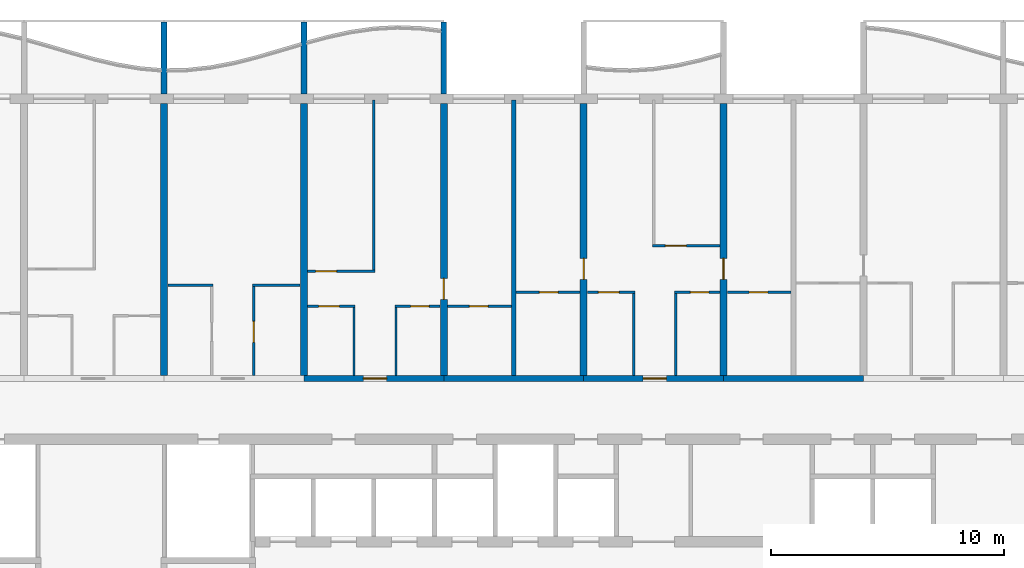
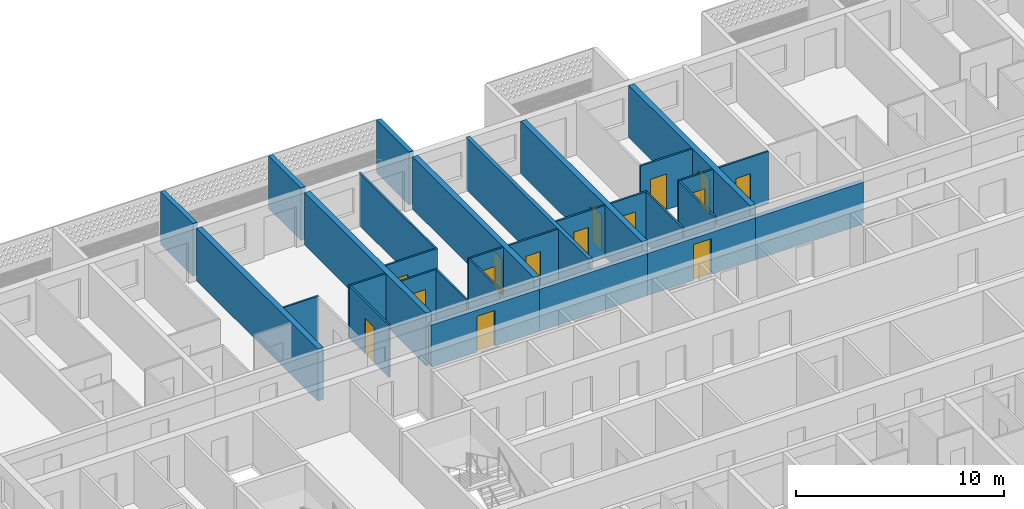
# One storey, part 9 of 32: 30 walls, 15 doors, 15 openings.
"""IFC4 building model written with IfcOpenShell, lengths in metres."""

from ifc_helpers import new_model, si_unit, direction, frame, frame_2d, origin, place, context, subcontext, project, spatial, polyline, rectangle, outline, extrude, source, transform, mapped, material, layer, layer_set, type_object, element, fill, save


model = new_model("IFC4")

# Units and contexts
model_context = context("Model", 3, precision=1e-05, world=origin(), true_north=direction((0.0, 1.0)))
body_context = subcontext(model_context, "Body", "Model", "MODEL_VIEW")
ifc_project = project(units=[si_unit("LENGTHUNIT", "METRE"), si_unit("AREAUNIT", "SQUARE_METRE"), si_unit("VOLUMEUNIT", "CUBIC_METRE"), si_unit("PLANEANGLEUNIT", "RADIAN"), si_unit("MASSUNIT", "GRAM", prefix="KILO")], contexts=[model_context])

# Site, building, storey
site_placement = place(None, origin())
site = spatial("IfcSite", under=ifc_project, at=site_placement, CompositionType="ELEMENT")
building_placement = place(site_placement, origin())
building = spatial("IfcBuilding", under=site, at=building_placement, Name="Poui Terraces", CompositionType="ELEMENT")
storey_placement = place(building_placement, frame((0.0, 0.0, 125.699951171875)))
storey = spatial("IfcBuildingStorey", under=building, at=storey_placement, Name="L34", CompositionType="ELEMENT", Elevation=125.699951171875)

# Wall, opening, door
ifc_material_1 = material(Name="Concrete 65 MPa", Category="concrete")
ifc_layer_1 = layer(ifc_material_1, 0.25)
ifc_layer_set_1 = layer_set([ifc_layer_1], Name="Concrete 65 MPa")
wall_type_1 = type_object("IfcWallType", Name="CORRIDOR WALL 250 65MPa", PredefinedType="SHEAR", material=ifc_layer_set_1)
wall_1_placement = place(storey_placement, frame((36.0, 30.39990234375, 0.0), z_axis=(0.0, 0.0, 1.0), x_axis=(1.0, 0.0, 0.0)))
wall_1 = element("IfcWall", 1, at=wall_1_placement, inside=storey, type_object=wall_type_1, Name="CORRIDOR WALL LINE E BAY 5", PredefinedType="SHEAR", context=body_context, shape_type="SweptSolid", body=[
    extrude(rectangle(XDim=6.0, YDim=0.25, at=frame_2d((3.0, 0.0))), origin(), (0.0, 0.0, 1.0), 2.469970703125),
])
opening_1_placement = place(wall_1_placement, frame((2.550048828125, 0.0, 0.0)))
opening_1 = element("IfcOpeningElement", 2, at=opening_1_placement, cuts=wall_1, Name="Opening FD30S", PredefinedType="OPENING", context=body_context, shape_type="SweptSolid", body=[
    extrude(rectangle(XDim=1.0, YDim=2.10009765625, at=frame_2d((0.5, 1.050048828125))), frame((0.0, 0.135009765625, 0.0), z_axis=(0.0, -1.0, 0.0), x_axis=(1.0, 0.0, 0.0)), (0.0, 0.0, 1.0), 0.27001953125),
])
ifc_material_2 = material(Name="Steel fire door", Category="steel")
door_type_1 = type_object("IfcDoorType", Name="FLAT ENTRANCE DOOR 1000 X 2100", OperationType="NOTDEFINED", PredefinedType="DOOR", material=ifc_material_2)
door_1_placement = place(opening_1_placement, origin())
door_1 = element("IfcDoor", 3, at=door_1_placement, inside=storey, type_object=door_type_1, Name="FLAT ENTRANCE DOOR 049", OperationType="SINGLE_SWING_RIGHT", OverallHeight=2.10009765625, OverallWidth=1.0, PredefinedType="DOOR", context=body_context, shape_type="SweptSolid", body=[
    extrude(rectangle(XDim=1.0, YDim=2.10009765625, at=frame_2d((0.5, 1.050048828125))), frame((0.0, 0.02490234375, 0.0), z_axis=(0.0, -1.0, 0.0), x_axis=(1.0, 0.0, 0.0)), (0.0, 0.0, 1.0), 0.050048828125),
])
fill(opening_1, door_1)

# Wall
wall_2_placement = place(storey_placement, frame((42.0, 30.39990234375, 0.0), z_axis=(0.0, 0.0, 1.0), x_axis=(1.0, 0.0, 0.0)))
element("IfcWall", 4, at=wall_2_placement, inside=storey, type_object=wall_type_1, Name="CORRIDOR WALL LINE E BAY 6", PredefinedType="SHEAR", context=body_context, shape_type="SweptSolid", body=[
    extrude(rectangle(XDim=6.0, YDim=0.25, at=frame_2d((3.0, 0.0))), origin(), (0.0, 0.0, 1.0), 2.469970703125),
])

# Wall, opening, door
wall_3_placement = place(storey_placement, frame((48.0, 30.39990234375, 0.0), z_axis=(0.0, 0.0, 1.0), x_axis=(1.0, 0.0, 0.0)))
wall_3 = element("IfcWall", 5, at=wall_3_placement, inside=storey, type_object=wall_type_1, Name="CORRIDOR WALL LINE E BAY 7", PredefinedType="SHEAR", context=body_context, shape_type="SweptSolid", body=[
    extrude(rectangle(XDim=6.0, YDim=0.25, at=frame_2d((3.0, 0.0))), origin(), (0.0, 0.0, 1.0), 2.469970703125),
])
opening_2_placement = place(wall_3_placement, frame((2.550048828125, 0.0, 0.0)))
opening_2 = element("IfcOpeningElement", 6, at=opening_2_placement, cuts=wall_3, Name="Opening FD30S", PredefinedType="OPENING", context=body_context, shape_type="SweptSolid", body=[
    extrude(rectangle(XDim=1.0, YDim=2.10009765625, at=frame_2d((0.5, 1.050048828125))), frame((0.0, 0.135009765625, 0.0), z_axis=(0.0, -1.0, 0.0), x_axis=(1.0, 0.0, 0.0)), (0.0, 0.0, 1.0), 0.27001953125),
])
door_2_placement = place(opening_2_placement, origin())
door_2 = element("IfcDoor", 7, at=door_2_placement, inside=storey, type_object=door_type_1, Name="FLAT ENTRANCE DOOR 056", OperationType="SINGLE_SWING_RIGHT", OverallHeight=2.10009765625, OverallWidth=1.0, PredefinedType="DOOR", context=body_context, shape_type="SweptSolid", body=[
    extrude(rectangle(XDim=1.0, YDim=2.10009765625, at=frame_2d((0.5, 1.050048828125))), frame((0.0, 0.02490234375, 0.0), z_axis=(0.0, -1.0, 0.0), x_axis=(1.0, 0.0, 0.0)), (0.0, 0.0, 1.0), 0.050048828125),
])
fill(opening_2, door_2)

# Walls
wall_4_placement = place(storey_placement, frame((54.0, 30.39990234375, 0.0), z_axis=(0.0, 0.0, 1.0), x_axis=(1.0, 0.0, 0.0)))
element("IfcWall", 8, at=wall_4_placement, inside=storey, type_object=wall_type_1, Name="CORRIDOR WALL LINE E BAY 8", PredefinedType="SHEAR", context=body_context, shape_type="SweptSolid", body=[
    extrude(rectangle(XDim=6.0, YDim=0.25, at=frame_2d((3.0, 0.0))), origin(), (0.0, 0.0, 1.0), 2.469970703125),
])
ifc_layer_2 = layer(ifc_material_1, 0.300048828125)
ifc_layer_set_2 = layer_set([ifc_layer_2], Name="Concrete 65 MPa")
wall_type_2 = type_object("IfcWallType", Name="CROSS WALL 300 65MPa", PredefinedType="SHEAR", material=ifc_layer_set_2)
for number, where, z_axis, x_axis, name in (
    (9, (30.0, 30.52490234375, 0.0), (0.0, 0.0, 1.0), (0.0, 1.0, 0.0), "CROSS WALL LINE 6 NORTH"),
    (10, (36.0, 30.52490234375, 0.0), (0.0, 0.0, 1.0), (0.0, 1.0, 0.0), "CROSS WALL LINE 7 NORTH"),
):
    element("IfcWall", number, at=place(storey_placement, frame(where, z_axis=z_axis, x_axis=x_axis)), inside=storey, type_object=wall_type_2, Name=name, PredefinedType="SHEAR", context=body_context, shape_type="SweptSolid", body=[
        extrude(rectangle(XDim=11.675048828125, YDim=0.300048828125, at=frame_2d((5.83740234375, 0.0))), origin(), (0.0, 0.0, 1.0), 3.070068359375),
    ])

# Wall, opening, door
wall_5_placement = place(storey_placement, frame((42.0, 30.52490234375, 0.0), z_axis=(0.0, 0.0, 1.0), x_axis=(0.0, 1.0, 0.0)))
wall_5 = element("IfcWall", 11, at=wall_5_placement, inside=storey, type_object=wall_type_2, Name="CROSS WALL LINE 8 NORTH", PredefinedType="SHEAR", context=body_context, shape_type="SweptSolid", body=[
    extrude(rectangle(XDim=11.675048828125, YDim=0.300048828125, at=frame_2d((5.83740234375, 0.0))), origin(), (0.0, 0.0, 1.0), 3.070068359375),
])
opening_3_placement = place(wall_5_placement, frame((3.27490234375, 0.0, 0.0)))
opening_3 = element("IfcOpeningElement", 12, at=opening_3_placement, cuts=wall_5, Name="Opening D90", PredefinedType="OPENING", context=body_context, shape_type="SweptSolid", body=[
    extrude(rectangle(XDim=0.89990234375, YDim=2.10009765625, at=frame_2d((0.449951171875, 1.050048828125))), frame((0.0, 0.16015625, 0.0), z_axis=(0.0, -1.0, 0.0), x_axis=(1.0, 0.0, 0.0)), (0.0, 0.0, 1.0), 0.320068359375),
])
ifc_material_3 = material(Name="Solid core timber door", Category="wood")
door_type_2 = type_object("IfcDoorType", Name="INTERNAL DOOR 900 X 2100", OperationType="NOTDEFINED", PredefinedType="DOOR", material=ifc_material_3)
door_3_placement = place(opening_3_placement, frame((0.89990234375, 0.0, 0.0), z_axis=(0.0, 0.0, 1.0), x_axis=(-1.0, 0.0, 0.0)))
door_3 = element("IfcDoor", 13, at=door_3_placement, inside=storey, type_object=door_type_2, Name="INTERNAL DOOR 051", OperationType="SINGLE_SWING_RIGHT", OverallHeight=2.10009765625, OverallWidth=0.89990234375, PredefinedType="DOOR", context=body_context, shape_type="SweptSolid", body=[
    extrude(rectangle(XDim=0.89990234375, YDim=2.10009765625, at=frame_2d((0.449951171875, 1.050048828125))), frame((0.0, 0.02490234375, 0.0), z_axis=(0.0, -1.0, 0.0), x_axis=(1.0, 0.0, 0.0)), (0.0, 0.0, 1.0), 0.050048828125),
])
fill(opening_3, door_3)

wall_6_placement = place(storey_placement, frame((48.0, 30.52490234375, 0.0), z_axis=(0.0, 0.0, 1.0), x_axis=(0.0, 1.0, 0.0)))
wall_6 = element("IfcWall", 14, at=wall_6_placement, inside=storey, type_object=wall_type_2, Name="CROSS WALL LINE 9 NORTH", PredefinedType="SHEAR", context=body_context, shape_type="SweptSolid", body=[
    extrude(rectangle(XDim=11.675048828125, YDim=0.300048828125, at=frame_2d((5.83740234375, 0.0))), origin(), (0.0, 0.0, 1.0), 3.070068359375),
])
opening_4_placement = place(wall_6_placement, frame((4.125, 0.0, 0.0)))
opening_4 = element("IfcOpeningElement", 15, at=opening_4_placement, cuts=wall_6, Name="Opening D90", PredefinedType="OPENING", context=body_context, shape_type="SweptSolid", body=[
    extrude(rectangle(XDim=0.89990234375, YDim=2.10009765625, at=frame_2d((0.449951171875, 1.050048828125))), frame((0.0, 0.16015625, 0.0), z_axis=(0.0, -1.0, 0.0), x_axis=(1.0, 0.0, 0.0)), (0.0, 0.0, 1.0), 0.320068359375),
])
door_4_placement = place(opening_4_placement, origin())
door_4 = element("IfcDoor", 16, at=door_4_placement, inside=storey, type_object=door_type_2, Name="INTERNAL DOOR 054", OperationType="SINGLE_SWING_LEFT", OverallHeight=2.10009765625, OverallWidth=0.89990234375, PredefinedType="DOOR", context=body_context, shape_type="SweptSolid", body=[
    extrude(rectangle(XDim=0.89990234375, YDim=2.10009765625, at=frame_2d((0.449951171875, 1.050048828125))), frame((0.0, 0.02490234375, 0.0), z_axis=(0.0, -1.0, 0.0), x_axis=(1.0, 0.0, 0.0)), (0.0, 0.0, 1.0), 0.050048828125),
])
fill(opening_4, door_4)

wall_7_placement = place(storey_placement, frame((54.0, 30.52490234375, 0.0), z_axis=(0.0, 0.0, 1.0), x_axis=(0.0, 1.0, 0.0)))
wall_7 = element("IfcWall", 17, at=wall_7_placement, inside=storey, type_object=wall_type_2, Name="CROSS WALL LINE 10 NORTH", PredefinedType="SHEAR", context=body_context, shape_type="SweptSolid", body=[
    extrude(rectangle(XDim=11.675048828125, YDim=0.300048828125, at=frame_2d((5.83740234375, 0.0))), origin(), (0.0, 0.0, 1.0), 3.070068359375),
])
opening_5_placement = place(wall_7_placement, frame((4.125, 0.0, 0.0)))
opening_5 = element("IfcOpeningElement", 18, at=opening_5_placement, cuts=wall_7, Name="Opening D90", PredefinedType="OPENING", context=body_context, shape_type="SweptSolid", body=[
    extrude(rectangle(XDim=0.89990234375, YDim=2.10009765625, at=frame_2d((0.449951171875, 1.050048828125))), frame((0.0, 0.16015625, 0.0), z_axis=(0.0, -1.0, 0.0), x_axis=(1.0, 0.0, 0.0)), (0.0, 0.0, 1.0), 0.320068359375),
])
door_5_placement = place(opening_5_placement, frame((0.89990234375, 0.0, 0.0), z_axis=(0.0, 0.0, 1.0), x_axis=(-1.0, 0.0, 0.0)))
door_5 = element("IfcDoor", 19, at=door_5_placement, inside=storey, type_object=door_type_2, Name="INTERNAL DOOR 059", OperationType="SINGLE_SWING_RIGHT", OverallHeight=2.10009765625, OverallWidth=0.89990234375, PredefinedType="DOOR", context=body_context, shape_type="SweptSolid", body=[
    extrude(rectangle(XDim=0.89990234375, YDim=2.10009765625, at=frame_2d((0.449951171875, 1.050048828125))), frame((0.0, 0.02490234375, 0.0), z_axis=(0.0, -1.0, 0.0), x_axis=(1.0, 0.0, 0.0)), (0.0, 0.0, 1.0), 0.050048828125),
])
fill(opening_5, door_5)

ifc_material_4 = material(Name="Plasterboard partition")
ifc_layer_3 = layer(ifc_material_4, 0.10009765625)
ifc_layer_set_3 = layer_set([ifc_layer_3], Name="Plasterboard partition")
wall_type_3 = type_object("IfcWallType", Name="FLAT PARTITION 100", PredefinedType="PARTITIONING", material=ifc_layer_set_3)
wall_8_placement = place(storey_placement, frame((36.159912109375, 33.5, 0.0), z_axis=(0.0, 0.0, 1.0), x_axis=(1.0, 0.0, 0.0)))
wall_8 = element("IfcWall", 20, at=wall_8_placement, inside=storey, type_object=wall_type_3, Name="FLAT PARTITION 100", PredefinedType="PARTITIONING", context=body_context, shape_type="SweptSolid", body=[
    extrude(rectangle(XDim=2.0400390625, YDim=0.10009765625, at=frame_2d((1.02001953125, 0.0))), origin(), (0.0, 0.0, 1.0), 3.070068359375),
])
opening_6_placement = place(wall_8_placement, frame((0.465087890625, 0.0, 0.0)))
opening_6 = element("IfcOpeningElement", 21, at=opening_6_placement, cuts=wall_8, Name="Opening D90", PredefinedType="OPENING", context=body_context, shape_type="SweptSolid", body=[
    extrude(rectangle(XDim=0.89990234375, YDim=2.10009765625, at=frame_2d((0.449951171875, 1.050048828125))), frame((0.0, 0.06005859375, 0.0), z_axis=(0.0, -1.0, 0.0), x_axis=(1.0, 0.0, 0.0)), (0.0, 0.0, 1.0), 0.1201171875),
])
door_6_placement = place(opening_6_placement, frame((0.89990234375, 0.0, 0.0), z_axis=(0.0, 0.0, 1.0), x_axis=(-1.0, 0.0, 0.0)))
door_6 = element("IfcDoor", 22, at=door_6_placement, inside=storey, type_object=door_type_2, Name="INTERNAL DOOR 048", OperationType="SINGLE_SWING_RIGHT", OverallHeight=2.10009765625, OverallWidth=0.89990234375, PredefinedType="DOOR", context=body_context, shape_type="SweptSolid", body=[
    extrude(rectangle(XDim=0.89990234375, YDim=2.10009765625, at=frame_2d((0.449951171875, 1.050048828125))), frame((0.0, 0.02490234375, 0.0), z_axis=(0.0, -1.0, 0.0), x_axis=(1.0, 0.0, 0.0)), (0.0, 0.0, 1.0), 0.050048828125),
])
fill(opening_6, door_6)

wall_9_placement = place(storey_placement, frame((39.89990234375, 33.5, 0.0), z_axis=(0.0, 0.0, 1.0), x_axis=(1.0, 0.0, 0.0)))
wall_9 = element("IfcWall", 23, at=wall_9_placement, inside=storey, type_object=wall_type_3, Name="FLAT PARTITION 100", PredefinedType="PARTITIONING", context=body_context, shape_type="SweptSolid", body=[
    extrude(rectangle(XDim=1.940185546875, YDim=0.10009765625, at=frame_2d((0.97021484375, 0.0))), origin(), (0.0, 0.0, 1.0), 3.070068359375),
])
opening_7_placement = place(wall_9_placement, frame((0.675048828125, 0.0, 0.0)))
opening_7 = element("IfcOpeningElement", 24, at=opening_7_placement, cuts=wall_9, Name="Opening D80", PredefinedType="OPENING", context=body_context, shape_type="SweptSolid", body=[
    extrude(rectangle(XDim=0.800048828125, YDim=2.10009765625, at=frame_2d((0.39990234375, 1.050048828125))), frame((0.0, 0.06005859375, 0.0), z_axis=(0.0, -1.0, 0.0), x_axis=(1.0, 0.0, 0.0)), (0.0, 0.0, 1.0), 0.1201171875),
])
door_type_3 = type_object("IfcDoorType", Name="BATHROOM, LAUNDRY AND STORE DOOR 800 X 2100", OperationType="NOTDEFINED", PredefinedType="DOOR", material=ifc_material_3)
door_7_placement = place(opening_7_placement, frame((0.800048828125, 0.0, 0.0), z_axis=(0.0, 0.0, 1.0), x_axis=(-1.0, 0.0, 0.0)))
door_7 = element("IfcDoor", 25, at=door_7_placement, inside=storey, type_object=door_type_3, Name="BATHROOM, LAUNDRY AND STORE DOOR 050", OperationType="SINGLE_SWING_LEFT", OverallHeight=2.10009765625, OverallWidth=0.800048828125, PredefinedType="DOOR", context=body_context, shape_type="SweptSolid", body=[
    extrude(rectangle(XDim=0.800048828125, YDim=2.10009765625, at=frame_2d((0.39990234375, 1.050048828125))), frame((0.0, 0.02490234375, 0.0), z_axis=(0.0, -1.0, 0.0), x_axis=(1.0, 0.0, 0.0)), (0.0, 0.0, 1.0), 0.050048828125),
])
fill(opening_7, door_7)

wall_10_placement = place(storey_placement, frame((42.159912109375, 33.5, 0.0), z_axis=(0.0, 0.0, 1.0), x_axis=(1.0, 0.0, 0.0)))
wall_10 = element("IfcWall", 26, at=wall_10_placement, inside=storey, type_object=wall_type_3, Name="FLAT PARTITION 100", PredefinedType="PARTITIONING", context=body_context, shape_type="SweptSolid", body=[
    extrude(rectangle(XDim=2.739990234375, YDim=0.10009765625, at=frame_2d((1.3701171875, 0.0))), origin(), (0.0, 0.0, 1.0), 3.070068359375),
])
opening_8_placement = place(wall_10_placement, frame((0.93994140625, 0.0, 0.0)))
opening_8 = element("IfcOpeningElement", 27, at=opening_8_placement, cuts=wall_10, Name="Opening D80", PredefinedType="OPENING", context=body_context, shape_type="SweptSolid", body=[
    extrude(rectangle(XDim=0.800048828125, YDim=2.10009765625, at=frame_2d((0.39990234375, 1.050048828125))), frame((0.0, 0.06005859375, 0.0), z_axis=(0.0, -1.0, 0.0), x_axis=(1.0, 0.0, 0.0)), (0.0, 0.0, 1.0), 0.1201171875),
])
door_8_placement = place(opening_8_placement, frame((0.800048828125, 0.0, 0.0), z_axis=(0.0, 0.0, 1.0), x_axis=(-1.0, 0.0, 0.0)))
door_8 = element("IfcDoor", 28, at=door_8_placement, inside=storey, type_object=door_type_3, Name="BATHROOM, LAUNDRY AND STORE DOOR 046", OperationType="SINGLE_SWING_RIGHT", OverallHeight=2.10009765625, OverallWidth=0.800048828125, PredefinedType="DOOR", context=body_context, shape_type="SweptSolid", body=[
    extrude(rectangle(XDim=0.800048828125, YDim=2.10009765625, at=frame_2d((0.39990234375, 1.050048828125))), frame((0.0, 0.02490234375, 0.0), z_axis=(0.0, -1.0, 0.0), x_axis=(1.0, 0.0, 0.0)), (0.0, 0.0, 1.0), 0.050048828125),
])
fill(opening_8, door_8)

wall_11_placement = place(storey_placement, frame((45.10009765625, 34.10009765625, 0.0), z_axis=(0.0, 0.0, 1.0), x_axis=(1.0, 0.0, 0.0)))
wall_11 = element("IfcWall", 29, at=wall_11_placement, inside=storey, type_object=wall_type_3, Name="FLAT PARTITION 100", PredefinedType="PARTITIONING", context=body_context, shape_type="SweptSolid", body=[
    extrude(rectangle(XDim=2.739990234375, YDim=0.10009765625, at=frame_2d((1.3701171875, 0.0))), origin(), (0.0, 0.0, 1.0), 3.070068359375),
])
opening_9_placement = place(wall_11_placement, frame((1.0, 0.0, 0.0)))
opening_9 = element("IfcOpeningElement", 30, at=opening_9_placement, cuts=wall_11, Name="Opening D80", PredefinedType="OPENING", context=body_context, shape_type="SweptSolid", body=[
    extrude(rectangle(XDim=0.800048828125, YDim=2.10009765625, at=frame_2d((0.39990234375, 1.050048828125))), frame((0.0, 0.06005859375, 0.0), z_axis=(0.0, -1.0, 0.0), x_axis=(1.0, 0.0, 0.0)), (0.0, 0.0, 1.0), 0.1201171875),
])
door_9_placement = place(opening_9_placement, frame((0.800048828125, 0.0, 0.0), z_axis=(0.0, 0.0, 1.0), x_axis=(-1.0, 0.0, 0.0)))
door_9 = element("IfcDoor", 31, at=door_9_placement, inside=storey, type_object=door_type_3, Name="BATHROOM, LAUNDRY AND STORE DOOR 052", OperationType="SINGLE_SWING_LEFT", OverallHeight=2.10009765625, OverallWidth=0.800048828125, PredefinedType="DOOR", context=body_context, shape_type="SweptSolid", body=[
    extrude(rectangle(XDim=0.800048828125, YDim=2.10009765625, at=frame_2d((0.39990234375, 1.050048828125))), frame((0.0, 0.02490234375, 0.0), z_axis=(0.0, -1.0, 0.0), x_axis=(1.0, 0.0, 0.0)), (0.0, 0.0, 1.0), 0.050048828125),
])
fill(opening_9, door_9)

wall_12_placement = place(storey_placement, frame((48.159912109375, 34.10009765625, 0.0), z_axis=(0.0, 0.0, 1.0), x_axis=(1.0, 0.0, 0.0)))
wall_12 = element("IfcWall", 32, at=wall_12_placement, inside=storey, type_object=wall_type_3, Name="FLAT PARTITION 100", PredefinedType="PARTITIONING", context=body_context, shape_type="SweptSolid", body=[
    extrude(rectangle(XDim=2.0400390625, YDim=0.10009765625, at=frame_2d((1.02001953125, 0.0))), origin(), (0.0, 0.0, 1.0), 3.070068359375),
])
opening_10_placement = place(wall_12_placement, frame((0.465087890625, 0.0, 0.0)))
opening_10 = element("IfcOpeningElement", 33, at=opening_10_placement, cuts=wall_12, Name="Opening D90", PredefinedType="OPENING", context=body_context, shape_type="SweptSolid", body=[
    extrude(rectangle(XDim=0.89990234375, YDim=2.10009765625, at=frame_2d((0.449951171875, 1.050048828125))), frame((0.0, 0.06005859375, 0.0), z_axis=(0.0, -1.0, 0.0), x_axis=(1.0, 0.0, 0.0)), (0.0, 0.0, 1.0), 0.1201171875),
])
door_10_placement = place(opening_10_placement, frame((0.89990234375, 0.0, 0.0), z_axis=(0.0, 0.0, 1.0), x_axis=(-1.0, 0.0, 0.0)))
door_10 = element("IfcDoor", 34, at=door_10_placement, inside=storey, type_object=door_type_2, Name="INTERNAL DOOR 055", OperationType="SINGLE_SWING_LEFT", OverallHeight=2.10009765625, OverallWidth=0.89990234375, PredefinedType="DOOR", context=body_context, shape_type="SweptSolid", body=[
    extrude(rectangle(XDim=0.89990234375, YDim=2.10009765625, at=frame_2d((0.449951171875, 1.050048828125))), frame((0.0, 0.02490234375, 0.0), z_axis=(0.0, -1.0, 0.0), x_axis=(1.0, 0.0, 0.0)), (0.0, 0.0, 1.0), 0.050048828125),
])
fill(opening_10, door_10)

wall_13_placement = place(storey_placement, frame((51.89990234375, 34.10009765625, 0.0), z_axis=(0.0, 0.0, 1.0), x_axis=(1.0, 0.0, 0.0)))
wall_13 = element("IfcWall", 35, at=wall_13_placement, inside=storey, type_object=wall_type_3, Name="FLAT PARTITION 100", PredefinedType="PARTITIONING", context=body_context, shape_type="SweptSolid", body=[
    extrude(rectangle(XDim=1.940185546875, YDim=0.10009765625, at=frame_2d((0.97021484375, 0.0))), origin(), (0.0, 0.0, 1.0), 3.070068359375),
])
opening_11_placement = place(wall_13_placement, frame((0.675048828125, 0.0, 0.0)))
opening_11 = element("IfcOpeningElement", 36, at=opening_11_placement, cuts=wall_13, Name="Opening D80", PredefinedType="OPENING", context=body_context, shape_type="SweptSolid", body=[
    extrude(rectangle(XDim=0.800048828125, YDim=2.10009765625, at=frame_2d((0.39990234375, 1.050048828125))), frame((0.0, 0.06005859375, 0.0), z_axis=(0.0, -1.0, 0.0), x_axis=(1.0, 0.0, 0.0)), (0.0, 0.0, 1.0), 0.1201171875),
])
door_11_placement = place(opening_11_placement, frame((0.800048828125, 0.0, 0.0), z_axis=(0.0, 0.0, 1.0), x_axis=(-1.0, 0.0, 0.0)))
door_11 = element("IfcDoor", 37, at=door_11_placement, inside=storey, type_object=door_type_3, Name="BATHROOM, LAUNDRY AND STORE DOOR 058", OperationType="SINGLE_SWING_RIGHT", OverallHeight=2.10009765625, OverallWidth=0.800048828125, PredefinedType="DOOR", context=body_context, shape_type="SweptSolid", body=[
    extrude(rectangle(XDim=0.800048828125, YDim=2.10009765625, at=frame_2d((0.39990234375, 1.050048828125))), frame((0.0, 0.02490234375, 0.0), z_axis=(0.0, -1.0, 0.0), x_axis=(1.0, 0.0, 0.0)), (0.0, 0.0, 1.0), 0.050048828125),
])
fill(opening_11, door_11)

wall_14_placement = place(storey_placement, frame((54.159912109375, 34.10009765625, 0.0), z_axis=(0.0, 0.0, 1.0), x_axis=(1.0, 0.0, 0.0)))
wall_14 = element("IfcWall", 38, at=wall_14_placement, inside=storey, type_object=wall_type_3, Name="FLAT PARTITION 100", PredefinedType="PARTITIONING", context=body_context, shape_type="SweptSolid", body=[
    extrude(rectangle(XDim=2.739990234375, YDim=0.10009765625, at=frame_2d((1.3701171875, 0.0))), origin(), (0.0, 0.0, 1.0), 3.070068359375),
])
opening_12_placement = place(wall_14_placement, frame((0.93994140625, 0.0, 0.0)))
opening_12 = element("IfcOpeningElement", 39, at=opening_12_placement, cuts=wall_14, Name="Opening D80", PredefinedType="OPENING", context=body_context, shape_type="SweptSolid", body=[
    extrude(rectangle(XDim=0.800048828125, YDim=2.10009765625, at=frame_2d((0.39990234375, 1.050048828125))), frame((0.0, 0.06005859375, 0.0), z_axis=(0.0, -1.0, 0.0), x_axis=(1.0, 0.0, 0.0)), (0.0, 0.0, 1.0), 0.1201171875),
])
door_12_placement = place(opening_12_placement, frame((0.800048828125, 0.0, 0.0), z_axis=(0.0, 0.0, 1.0), x_axis=(-1.0, 0.0, 0.0)))
door_12 = element("IfcDoor", 40, at=door_12_placement, inside=storey, type_object=door_type_3, Name="BATHROOM, LAUNDRY AND STORE DOOR 053", OperationType="SINGLE_SWING_LEFT", OverallHeight=2.10009765625, OverallWidth=0.800048828125, PredefinedType="DOOR", context=body_context, shape_type="SweptSolid", body=[
    extrude(rectangle(XDim=0.800048828125, YDim=2.10009765625, at=frame_2d((0.39990234375, 1.050048828125))), frame((0.0, 0.02490234375, 0.0), z_axis=(0.0, -1.0, 0.0), x_axis=(1.0, 0.0, 0.0)), (0.0, 0.0, 1.0), 0.050048828125),
])
fill(opening_12, door_12)

# Walls
wall_15_placement = place(storey_placement, frame((30.159912109375, 34.39990234375, 0.0), z_axis=(0.0, 0.0, 1.0), x_axis=(1.0, 0.0, 0.0)))
element("IfcWall", 41, at=wall_15_placement, inside=storey, type_object=wall_type_3, Name="FLAT PARTITION 100", PredefinedType="PARTITIONING", context=body_context, shape_type="SweptSolid", body=[
    extrude(rectangle(XDim=1.940185546875, YDim=0.10009765625, at=frame_2d((0.97021484375, 0.0))), origin(), (0.0, 0.0, 1.0), 3.070068359375),
])
wall_16_placement = place(storey_placement, frame((33.800048828125, 34.39990234375, 0.0), z_axis=(0.0, 0.0, 1.0), x_axis=(1.0, 0.0, 0.0)))
element("IfcWall", 42, at=wall_16_placement, inside=storey, type_object=wall_type_3, Name="FLAT PARTITION 100", PredefinedType="PARTITIONING", context=body_context, shape_type="SweptSolid", body=[
    extrude(rectangle(XDim=2.0400390625, YDim=0.10009765625, at=frame_2d((1.02001953125, 0.0))), origin(), (0.0, 0.0, 1.0), 3.070068359375),
])

# Wall, opening, door
wall_17_placement = place(storey_placement, frame((36.159912109375, 35.0, 0.0), z_axis=(0.0, 0.0, 1.0), x_axis=(1.0, 0.0, 0.0)))
wall_17 = element("IfcWall", 43, at=wall_17_placement, inside=storey, type_object=wall_type_3, Name="FLAT PARTITION 100", PredefinedType="PARTITIONING", context=body_context, shape_type="SweptSolid", body=[
    extrude(rectangle(XDim=2.89013671875, YDim=0.10009765625, at=frame_2d((1.445068359375, 0.0))), origin(), (0.0, 0.0, 1.0), 3.070068359375),
])
opening_13_placement = place(wall_17_placement, frame((0.340087890625, 0.0, 0.0)))
opening_13 = element("IfcOpeningElement", 44, at=opening_13_placement, cuts=wall_17, Name="Opening D90", PredefinedType="OPENING", context=body_context, shape_type="SweptSolid", body=[
    extrude(rectangle(XDim=0.89990234375, YDim=2.10009765625, at=frame_2d((0.449951171875, 1.050048828125))), frame((0.0, 0.06005859375, 0.0), z_axis=(0.0, -1.0, 0.0), x_axis=(1.0, 0.0, 0.0)), (0.0, 0.0, 1.0), 0.1201171875),
])
door_13_placement = place(opening_13_placement, frame((0.89990234375, 0.0, 0.0), z_axis=(0.0, 0.0, 1.0), x_axis=(-1.0, 0.0, 0.0)))
door_13 = element("IfcDoor", 45, at=door_13_placement, inside=storey, type_object=door_type_2, Name="INTERNAL DOOR 047", OperationType="SINGLE_SWING_LEFT", OverallHeight=2.10009765625, OverallWidth=0.89990234375, PredefinedType="DOOR", context=body_context, shape_type="SweptSolid", body=[
    extrude(rectangle(XDim=0.89990234375, YDim=2.10009765625, at=frame_2d((0.449951171875, 1.050048828125))), frame((0.0, 0.02490234375, 0.0), z_axis=(0.0, -1.0, 0.0), x_axis=(1.0, 0.0, 0.0)), (0.0, 0.0, 1.0), 0.050048828125),
])
fill(opening_13, door_13)

wall_18_placement = place(storey_placement, frame((50.949951171875, 36.10009765625, 0.0), z_axis=(0.0, 0.0, 1.0), x_axis=(1.0, 0.0, 0.0)))
wall_18 = element("IfcWall", 46, at=wall_18_placement, inside=storey, type_object=wall_type_3, Name="FLAT PARTITION 100", PredefinedType="PARTITIONING", context=body_context, shape_type="SweptSolid", body=[
    extrude(rectangle(XDim=2.89013671875, YDim=0.10009765625, at=frame_2d((1.445068359375, 0.0))), origin(), (0.0, 0.0, 1.0), 3.070068359375),
])
opening_14_placement = place(wall_18_placement, frame((0.550048828125, 0.0, 0.0)))
opening_14 = element("IfcOpeningElement", 47, at=opening_14_placement, cuts=wall_18, Name="Opening D90", PredefinedType="OPENING", context=body_context, shape_type="SweptSolid", body=[
    extrude(rectangle(XDim=0.89990234375, YDim=2.10009765625, at=frame_2d((0.449951171875, 1.050048828125))), frame((0.0, 0.06005859375, 0.0), z_axis=(0.0, -1.0, 0.0), x_axis=(1.0, 0.0, 0.0)), (0.0, 0.0, 1.0), 0.1201171875),
])
door_14_placement = place(opening_14_placement, frame((0.89990234375, 0.0, 0.0), z_axis=(0.0, 0.0, 1.0), x_axis=(-1.0, 0.0, 0.0)))
door_14 = element("IfcDoor", 48, at=door_14_placement, inside=storey, type_object=door_type_2, Name="INTERNAL DOOR 057", OperationType="SINGLE_SWING_LEFT", OverallHeight=2.10009765625, OverallWidth=0.89990234375, PredefinedType="DOOR", context=body_context, shape_type="SweptSolid", body=[
    extrude(rectangle(XDim=0.89990234375, YDim=2.10009765625, at=frame_2d((0.449951171875, 1.050048828125))), frame((0.0, 0.02490234375, 0.0), z_axis=(0.0, -1.0, 0.0), x_axis=(1.0, 0.0, 0.0)), (0.0, 0.0, 1.0), 0.050048828125),
])
fill(opening_14, door_14)

wall_19_placement = place(storey_placement, frame((33.85009765625, 30.534912109375, 0.0), z_axis=(0.0, 0.0, 1.0), x_axis=(0.0, 1.0, 0.0)))
wall_19 = element("IfcWall", 49, at=wall_19_placement, inside=storey, type_object=wall_type_3, Name="FLAT PARTITION 100", PredefinedType="PARTITIONING", context=body_context, shape_type="SweptSolid", body=[
    extrude(rectangle(XDim=3.815185546875, YDim=0.10009765625, at=frame_2d((1.90771484375, 0.0))), origin(), (0.0, 0.0, 1.0), 3.070068359375),
])
opening_15_placement = place(wall_19_placement, frame((1.4150390625, 0.0, 0.0)))
opening_15 = element("IfcOpeningElement", 50, at=opening_15_placement, cuts=wall_19, Name="Opening D90", PredefinedType="OPENING", context=body_context, shape_type="SweptSolid", body=[
    extrude(rectangle(XDim=0.89990234375, YDim=2.10009765625, at=frame_2d((0.449951171875, 1.050048828125))), frame((0.0, 0.06005859375, 0.0), z_axis=(0.0, -1.0, 0.0), x_axis=(1.0, 0.0, 0.0)), (0.0, 0.0, 1.0), 0.1201171875),
])
door_15_placement = place(opening_15_placement, frame((0.89990234375, 0.0, 0.0), z_axis=(0.0, 0.0, 1.0), x_axis=(-1.0, 0.0, 0.0)))
door_15 = element("IfcDoor", 51, at=door_15_placement, inside=storey, type_object=door_type_2, Name="INTERNAL DOOR 045", OperationType="SINGLE_SWING_LEFT", OverallHeight=2.10009765625, OverallWidth=0.89990234375, PredefinedType="DOOR", context=body_context, shape_type="SweptSolid", body=[
    extrude(rectangle(XDim=0.89990234375, YDim=2.10009765625, at=frame_2d((0.449951171875, 1.050048828125))), frame((0.0, 0.02490234375, 0.0), z_axis=(0.0, -1.0, 0.0), x_axis=(1.0, 0.0, 0.0)), (0.0, 0.0, 1.0), 0.050048828125),
])
fill(opening_15, door_15)

# Walls
wall_20_placement = place(storey_placement, frame((38.14990234375, 30.534912109375, 0.0), z_axis=(0.0, 0.0, 1.0), x_axis=(0.0, 1.0, 0.0)))
element("IfcWall", 52, at=wall_20_placement, inside=storey, type_object=wall_type_3, Name="FLAT PARTITION 100", PredefinedType="PARTITIONING", context=body_context, shape_type="SweptSolid", body=[
    extrude(rectangle(XDim=2.9150390625, YDim=0.10009765625, at=frame_2d((1.45751953125, 0.0))), origin(), (0.0, 0.0, 1.0), 3.070068359375),
])
wall_21_placement = place(storey_placement, frame((39.0, 35.050048828125, 0.0), z_axis=(0.0, 0.0, 1.0), x_axis=(0.0, 1.0, 0.0)))
element("IfcWall", 53, at=wall_21_placement, inside=storey, type_object=wall_type_3, Name="FLAT PARTITION 100", PredefinedType="PARTITIONING", context=body_context, shape_type="SweptSolid", body=[
    extrude(rectangle(XDim=7.2900390625, YDim=0.10009765625, at=frame_2d((3.64501953125, 0.0))), origin(), (0.0, 0.0, 1.0), 3.070068359375),
])
wall_22_placement = place(storey_placement, frame((39.949951171875, 30.534912109375, 0.0), z_axis=(0.0, 0.0, 1.0), x_axis=(0.0, 1.0, 0.0)))
element("IfcWall", 54, at=wall_22_placement, inside=storey, type_object=wall_type_3, Name="FLAT PARTITION 100", PredefinedType="PARTITIONING", context=body_context, shape_type="SweptSolid", body=[
    extrude(rectangle(XDim=2.9150390625, YDim=0.10009765625, at=frame_2d((1.45751953125, 0.0))), origin(), (0.0, 0.0, 1.0), 3.070068359375),
])
for number, where, z_axis, x_axis, name in (
    (55, (50.14990234375, 30.534912109375, 0.0), (0.0, 0.0, 1.0), (0.0, 1.0, 0.0), "FLAT PARTITION 100"),
    (56, (51.949951171875, 30.534912109375, 0.0), (0.0, 0.0, 1.0), (0.0, 1.0, 0.0), "FLAT PARTITION 100"),
):
    element("IfcWall", number, at=place(storey_placement, frame(where, z_axis=z_axis, x_axis=x_axis)), inside=storey, type_object=wall_type_3, Name=name, PredefinedType="PARTITIONING", context=body_context, shape_type="SweptSolid", body=[
        extrude(rectangle(XDim=3.51513671875, YDim=0.10009765625, at=frame_2d((1.757568359375, 0.0))), origin(), (0.0, 0.0, 1.0), 3.070068359375),
    ])
ifc_material_5 = material(Name="Fire-rated masonry wall", Category="masonry")
ifc_layer_4 = layer(ifc_material_5, 0.199951171875)
ifc_layer_set_4 = layer_set([ifc_layer_4], Name="Fire-rated masonry wall")
wall_type_4 = type_object("IfcWallType", Name="FLAT PARTY WALL 200", PredefinedType="PARTITIONING", material=ifc_layer_set_4)
wall_23_placement = place(storey_placement, frame((45.0, 30.534912109375, 0.0), z_axis=(0.0, 0.0, 1.0), x_axis=(0.0, 1.0, 0.0)))
element("IfcWall", 57, at=wall_23_placement, inside=storey, type_object=wall_type_4, Name="FLAT PARTY WALL 200", PredefinedType="PARTITIONING", context=body_context, shape_type="SweptSolid", body=[
    extrude(rectangle(XDim=11.80517578125, YDim=0.199951171875, at=frame_2d((5.902587890625, 0.0))), origin(), (0.0, 0.0, 1.0), 3.070068359375),
])
ifc_material_6 = material(Name="Precast concrete 40 MPa", Category="concrete")
ifc_layer_5 = layer(ifc_material_6, 0.25)
ifc_layer_set_5 = layer_set([ifc_layer_5], Name="Precast concrete 40 MPa")
wall_type_5 = type_object("IfcWallType", Name="BALCONY FIN 250", PredefinedType="STANDARD", material=ifc_layer_set_5)
shared_shape = source(origin(), body_context, "Body", "SweptSolid", [
    extrude(outline(polyline([(0.0, 0.0), (0.25, 0.0), (0.25, 3.099853515625), (0.0, 3.099853515625), (0.0, 0.0)])), origin(), (0.0, 0.0, 1.0), 3.10009765625),
])
for number, where, name in (
    (58, (29.875, 42.60009765625, 0.0), "BALCONY FIN"),
    (59, (35.875, 42.60009765625, 0.0), "BALCONY FIN"),
    (60, (41.875, 42.60009765625, 0.0), "BALCONY FIN"),
):
    element("IfcWall", number, at=place(storey_placement, frame(where)), inside=storey, type_object=wall_type_5, Name=name, PredefinedType="STANDARD", context=body_context, shape_type="MappedRepresentation", body=[
        mapped(shared_shape, transform((0.0, 0.0, 0.0))),
    ])

save(model, "model.ifc")
